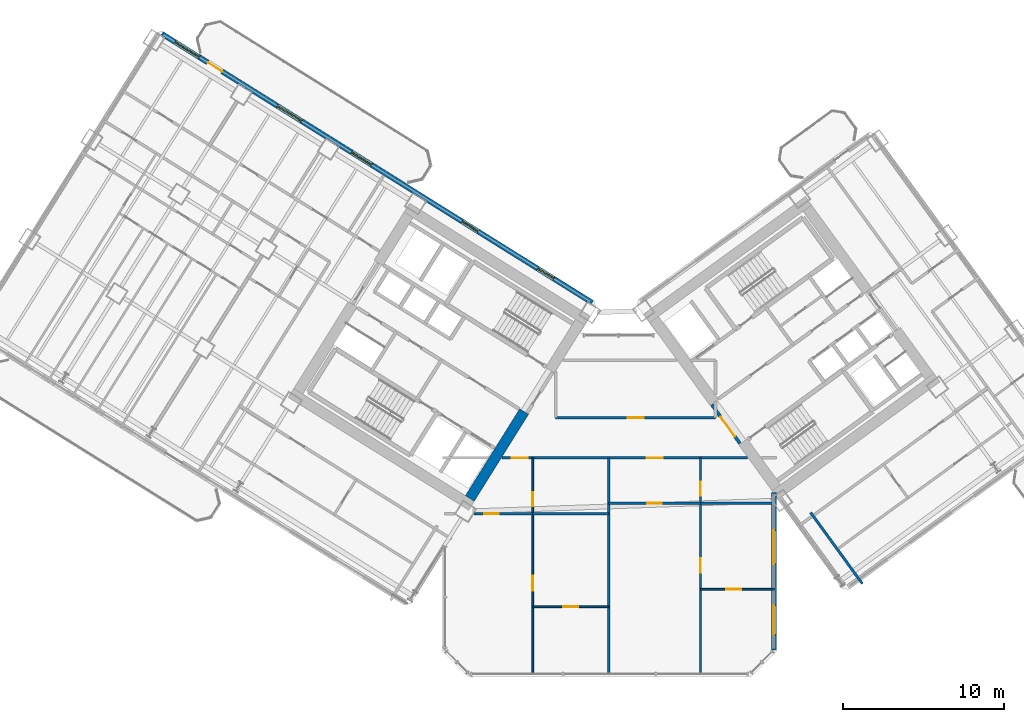
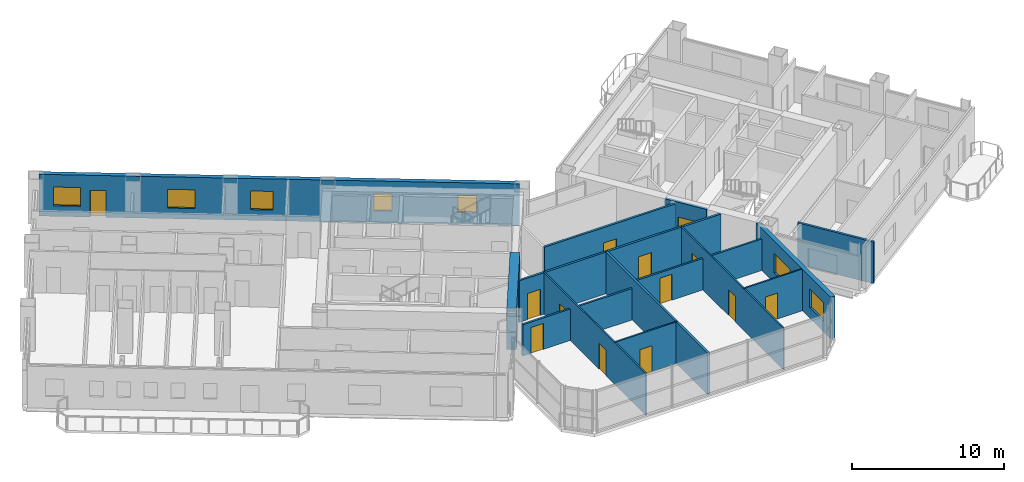
# One storey, part 17 of 28: 16 walls, 13 doors, 7 windows, 20 openings.
"""IFC4 building model written with IfcOpenShell, lengths in metres."""

from ifc_helpers import new_model, si_unit, direction, frame, frame_2d, origin, place, context, subcontext, project, spatial, rectangle, extrude, source, transform, mapped, material, layer, layer_set, type_object, element, fill, save


model = new_model("IFC4")

# Units and contexts
model_context = context("Model", 3, precision=1e-05, world=origin(), true_north=direction((0.0, 1.0)))
body_context = subcontext(model_context, "Body", "Model", "MODEL_VIEW")
ifc_project = project(units=[si_unit("LENGTHUNIT", "METRE"), si_unit("AREAUNIT", "SQUARE_METRE"), si_unit("VOLUMEUNIT", "CUBIC_METRE"), si_unit("PLANEANGLEUNIT", "RADIAN"), si_unit("MASSUNIT", "GRAM", prefix="KILO")], contexts=[model_context])

# Site, building, storey
site_placement = place(None, origin())
site = spatial("IfcSite", under=ifc_project, at=site_placement, CompositionType="ELEMENT")
building_placement = place(site_placement, origin())
building = spatial("IfcBuilding", under=site, at=building_placement, Name="Tlacorven Tower", CompositionType="ELEMENT")
storey_placement = place(building_placement, frame((0.0, 0.0, 27.60009765625)))
storey = spatial("IfcBuildingStorey", under=building, at=storey_placement, Name="L06", CompositionType="ELEMENT", Elevation=27.60009765625)

# Wall
ifc_material_1 = material(Name="Concrete C60/75", Category="concrete")
ifc_layer_1 = layer(ifc_material_1, 0.64990234375)
ifc_layer_set_1 = layer_set([ifc_layer_1], Name="Concrete C60/75")
wall_type_1 = type_object("IfcWallType", Name="WL-COR-650", PredefinedType="SHEAR", material=ifc_layer_set_1)
wall_1_placement = place(storey_placement, frame((36.683349609375, 18.30419921875, 0.0), z_axis=(0.0, 0.0, 1.0), x_axis=(-0.529899109053, -0.848060690178, 0.0)))
element("IfcWall", 1, at=wall_1_placement, inside=storey, type_object=wall_type_1, Name="L06 W core end wall E1.2", PredefinedType="SHEAR", context=body_context, shape_type="SweptSolid", body=[
    extrude(rectangle(XDim=6.375244140625, YDim=0.64990234375, at=frame_2d((3.1875, 0.0))), origin(), (0.0, 0.0, 1.0), 3.349853515625),
])

# Wall, openings, doors
ifc_material_2 = material(Name="Gypsum plasterboard acoustic partition", Category="gypsum")
ifc_layer_2 = layer(ifc_material_2, 0.159912109375)
ifc_layer_set_2 = layer_set([ifc_layer_2], Name="Gypsum plasterboard acoustic partition")
wall_type_2 = type_object("IfcWallType", Name="WL-DEM-160", PredefinedType="PARTITIONING", material=ifc_layer_set_2)
wall_2_placement = place(storey_placement, frame((35.29638671875, 15.419921875, 0.0), z_axis=(0.0, 0.0, 1.0), x_axis=(1.0, 0.0, 0.0)))
wall_2 = element("IfcWall", 2, at=wall_2_placement, inside=storey, type_object=wall_type_2, Name="L06 Knuckle Corridor South Wall", PredefinedType="PARTITIONING", context=body_context, shape_type="SweptSolid", body=[
    extrude(rectangle(XDim=15.310546875, YDim=0.159912109375, at=frame_2d((7.6552734375, 0.0))), origin(), (0.0, 0.0, 1.0), 3.33984375),
])
opening_1_placement = place(wall_2_placement, frame((0.61474609375, 0.0, 0.0)))
opening_1 = element("IfcOpeningElement", 3, at=opening_1_placement, cuts=wall_2, Name="Opening D11", PredefinedType="OPENING", context=body_context, shape_type="SweptSolid", body=[
    extrude(rectangle(XDim=1.0, YDim=2.10009765625, at=frame_2d((0.5, 1.050048828125))), frame((0.0, 0.08984375, 0.0), z_axis=(0.0, -1.0, 0.0), x_axis=(1.0, 0.0, 0.0)), (0.0, 0.0, 1.0), 0.179931640625),
])
opening_2_placement = place(wall_2_placement, frame((9.03515625, 0.0, 0.0)))
opening_2 = element("IfcOpeningElement", 4, at=opening_2_placement, cuts=wall_2, Name="Opening D11", PredefinedType="OPENING", context=body_context, shape_type="SweptSolid", body=[
    extrude(rectangle(XDim=1.0, YDim=2.10009765625, at=frame_2d((0.5, 1.050048828125))), frame((0.0, 0.08984375, 0.0), z_axis=(0.0, -1.0, 0.0), x_axis=(1.0, 0.0, 0.0)), (0.0, 0.0, 1.0), 0.179931640625),
])
ifc_material_3 = material(Name="Fire-rated steel door assembly", Category="steel")
door_type_1 = type_object("IfcDoorType", Name="DR-FLT-FD60-1000", OperationType="NOTDEFINED", PredefinedType="DOOR", material=ifc_material_3)
shared_shape_1 = source(origin(), body_context, "Body", "SweptSolid", [
    extrude(rectangle(XDim=1.0, YDim=2.10009765625, at=frame_2d((0.5, 1.050048828125))), frame((0.0, 0.02490234375, 0.0), z_axis=(0.0, -1.0, 0.0), x_axis=(1.0, 0.0, 0.0)), (0.0, 0.0, 1.0), 0.050048828125),
])
door_1_placement = place(opening_1_placement, frame((1.0, 0.0, 0.0), z_axis=(0.0, 0.0, 1.0), x_axis=(-1.0, 0.0, 0.0)))
door_1 = element("IfcDoor", 5, at=door_1_placement, inside=storey, type_object=door_type_1, Name="L06 door 046", OperationType="SINGLE_SWING_RIGHT", OverallHeight=2.10009765625, OverallWidth=1.0, PredefinedType="DOOR", context=body_context, shape_type="MappedRepresentation", body=[
    mapped(shared_shape_1, transform((0.0, 0.0, 0.0), scale=1.0)),
])
fill(opening_1, door_1)
door_2_placement = place(opening_2_placement, frame((1.0, 0.0, 0.0), z_axis=(0.0, 0.0, 1.0), x_axis=(-1.0, 0.0, 0.0)))
door_2 = element("IfcDoor", 6, at=door_2_placement, inside=storey, type_object=door_type_1, Name="L06 door 051", OperationType="SINGLE_SWING_LEFT", OverallHeight=2.10009765625, OverallWidth=1.0, PredefinedType="DOOR", context=body_context, shape_type="MappedRepresentation", body=[
    mapped(shared_shape_1, transform((0.0, 0.0, 0.0), scale=1.0)),
])
fill(opening_2, door_2)

# Wall, opening, door
wall_3_placement = place(storey_placement, frame((38.64990234375, 17.929931640625, 0.0), z_axis=(0.0, 0.0, 1.0), x_axis=(1.0, 0.0, 0.0)))
wall_3 = element("IfcWall", 7, at=wall_3_placement, inside=storey, type_object=wall_type_2, Name="L06 partition 75", PredefinedType="PARTITIONING", context=body_context, shape_type="SweptSolid", body=[
    extrude(rectangle(XDim=9.9501953125, YDim=0.159912109375, at=frame_2d((4.97509765625, 0.0))), origin(), (0.0, 0.0, 1.0), 3.33984375),
])
opening_3_placement = place(wall_3_placement, frame((4.47509765625, 0.0, 0.0)))
opening_3 = element("IfcOpeningElement", 8, at=opening_3_placement, cuts=wall_3, Name="Opening D11", PredefinedType="OPENING", context=body_context, shape_type="SweptSolid", body=[
    extrude(rectangle(XDim=1.0, YDim=2.10009765625, at=frame_2d((0.5, 1.050048828125))), frame((0.0, 0.08984375, 0.0), z_axis=(0.0, -1.0, 0.0), x_axis=(1.0, 0.0, 0.0)), (0.0, 0.0, 1.0), 0.179931640625),
])
door_3_placement = place(opening_3_placement, origin())
door_3 = element("IfcDoor", 9, at=door_3_placement, inside=storey, type_object=door_type_1, Name="L06 door 041", OperationType="SINGLE_SWING_LEFT", OverallHeight=2.10009765625, OverallWidth=1.0, PredefinedType="DOOR", context=body_context, shape_type="MappedRepresentation", body=[
    mapped(shared_shape_1, transform((0.0, 0.0, 0.0), scale=1.0)),
])
fill(opening_3, door_3)

# Walls
wall_4_placement = place(storey_placement, frame((41.949951171875, 1.9599609375, 0.0), z_axis=(0.0, 0.0, 1.0), x_axis=(0.0, 1.0, 0.0)))
element("IfcWall", 10, at=wall_4_placement, inside=storey, type_object=wall_type_2, Name="L06 Knuckle Demising Wall 1", PredefinedType="PARTITIONING", context=body_context, shape_type="SweptSolid", body=[
    extrude(rectangle(XDim=13.4599609375, YDim=0.159912109375, at=frame_2d((6.72998046875, 0.0))), origin(), (0.0, 0.0, 1.0), 3.33984375),
])
wall_5_placement = place(storey_placement, frame((57.747314453125, 7.586181640625, 0.0), z_axis=(0.0, 0.0, 1.0), x_axis=(-0.587784893399, 0.809017255126, 0.0)))
element("IfcWall", 11, at=wall_5_placement, inside=storey, type_object=wall_type_2, Name="L06 EC West Throat Wall", PredefinedType="PARTITIONING", context=body_context, shape_type="SweptSolid", body=[
    extrude(rectangle(XDim=5.480224609375, YDim=0.159912109375, at=frame_2d((2.740234375, 0.0))), origin(), (0.0, 0.0, 1.0), 3.33984375),
])

# Wall, openings, door, windows
ifc_material_4 = material(Name="Precast concrete C45/55", Category="concrete")
ifc_layer_3 = layer(ifc_material_4, 0.320068359375)
ifc_layer_set_3 = layer_set([ifc_layer_3], Name="Precast concrete C45/55")
wall_type_3 = type_object("IfcWallType", Name="WL-EXT-320", PredefinedType="STANDARD", material=ifc_layer_set_3)
wall_6_placement = place(storey_placement, frame((14.13818359375, 41.825439453125, 0.0), z_axis=(0.0, 0.0, 1.0), x_axis=(0.848046498049, -0.529921821731, 0.0)))
wall_6 = element("IfcWall", 12, at=wall_6_placement, inside=storey, type_object=wall_type_3, Name="L06 Masonry-Frame Recessed Facade Wall 3", PredefinedType="STANDARD", context=body_context, shape_type="SweptSolid", body=[
    extrude(rectangle(XDim=31.587646484375, YDim=0.320068359375, at=frame_2d((15.7939453125, 0.0))), origin(), (0.0, 0.0, 1.0), 3.349853515625),
])
opening_4_placement = place(wall_6_placement, frame((3.368896484375, 0.0, 0.0)))
opening_4 = element("IfcOpeningElement", 13, at=opening_4_placement, cuts=wall_6, Name="Opening D06", PredefinedType="OPENING", context=body_context, shape_type="SweptSolid", body=[
    extrude(rectangle(XDim=1.050048828125, YDim=2.14990234375, at=frame_2d((0.52490234375, 1.074951171875))), frame((0.0, 0.169921875, 0.0), z_axis=(0.0, -1.0, 0.0), x_axis=(1.0, 0.0, 0.0)), (0.0, 0.0, 1.0), 0.340087890625),
])
opening_5_placement = place(wall_6_placement, frame((0.9462890625, 0.0, 0.85009765625)))
opening_5 = element("IfcOpeningElement", 14, at=opening_5_placement, cuts=wall_6, Name="Opening WN01", PredefinedType="OPENING", context=body_context, shape_type="SweptSolid", body=[
    extrude(rectangle(XDim=1.800048828125, YDim=1.5, at=frame_2d((0.89990234375, 0.75))), frame((0.0, 0.169921875, 0.0), z_axis=(0.0, -1.0, 0.0), x_axis=(1.0, 0.0, 0.0)), (0.0, 0.0, 1.0), 0.340087890625),
])
opening_6_placement = place(wall_6_placement, frame((8.460205078125, 0.0, 0.85009765625)))
opening_6 = element("IfcOpeningElement", 15, at=opening_6_placement, cuts=wall_6, Name="Opening WN01", PredefinedType="OPENING", context=body_context, shape_type="SweptSolid", body=[
    extrude(rectangle(XDim=1.800048828125, YDim=1.5, at=frame_2d((0.89990234375, 0.75))), frame((0.0, 0.169921875, 0.0), z_axis=(0.0, -1.0, 0.0), x_axis=(1.0, 0.0, 0.0)), (0.0, 0.0, 1.0), 0.340087890625),
])
opening_7_placement = place(wall_6_placement, frame((13.898681640625, 0.0, 0.85009765625)))
opening_7 = element("IfcOpeningElement", 16, at=opening_7_placement, cuts=wall_6, Name="Opening WN02", PredefinedType="OPENING", context=body_context, shape_type="SweptSolid", body=[
    extrude(rectangle(XDim=1.5, YDim=1.5, at=frame_2d((0.75, 0.75))), frame((0.0, 0.169921875, 0.0), z_axis=(0.0, -1.0, 0.0), x_axis=(1.0, 0.0, 0.0)), (0.0, 0.0, 1.0), 0.340087890625),
])
opening_8_placement = place(wall_6_placement, frame((22.018798828125, 0.0, 0.949951171875)))
opening_8 = element("IfcOpeningElement", 17, at=opening_8_placement, cuts=wall_6, Name="Opening WN03", PredefinedType="OPENING", context=body_context, shape_type="SweptSolid", body=[
    extrude(rectangle(XDim=1.199951171875, YDim=1.39990234375, at=frame_2d((0.60009765625, 0.699951171875))), frame((0.0, 0.169921875, 0.0), z_axis=(0.0, -1.0, 0.0), x_axis=(1.0, 0.0, 0.0)), (0.0, 0.0, 1.0), 0.340087890625),
])
opening_9_placement = place(wall_6_placement, frame((27.568603515625, 0.0, 0.949951171875)))
opening_9 = element("IfcOpeningElement", 18, at=opening_9_placement, cuts=wall_6, Name="Opening WN03", PredefinedType="OPENING", context=body_context, shape_type="SweptSolid", body=[
    extrude(rectangle(XDim=1.199951171875, YDim=1.39990234375, at=frame_2d((0.60009765625, 0.699951171875))), frame((0.0, 0.169921875, 0.0), z_axis=(0.0, -1.0, 0.0), x_axis=(1.0, 0.0, 0.0)), (0.0, 0.0, 1.0), 0.340087890625),
])
ifc_material_5 = material(Name="Powder-coated aluminium and timber door", Category="wood")
door_type_2 = type_object("IfcDoorType", Name="DR-EXT-BALC-1050", OperationType="NOTDEFINED", PredefinedType="DOOR", material=ifc_material_5)
shared_shape_2 = source(origin(), body_context, "Body", "SweptSolid", [
    extrude(rectangle(XDim=1.050048828125, YDim=2.14990234375, at=frame_2d((0.52490234375, 1.074951171875))), frame((0.0, 0.02490234375, 0.0), z_axis=(0.0, -1.0, 0.0), x_axis=(1.0, 0.0, 0.0)), (0.0, 0.0, 1.0), 0.050048828125),
])
door_4_placement = place(opening_4_placement, origin())
door_4 = element("IfcDoor", 19, at=door_4_placement, inside=storey, type_object=door_type_2, Name="L06 Outdoor Access Door BAL-L06-W-IN", OperationType="SINGLE_SWING_RIGHT", OverallHeight=2.14990234375, OverallWidth=1.050048828125, PredefinedType="DOOR", context=body_context, shape_type="MappedRepresentation", body=[
    mapped(shared_shape_2, transform((0.0, 0.0, 0.0), scale=1.0)),
])
fill(opening_4, door_4)
ifc_material_6 = material(Name="Dark solar low-E double glazing in anodised aluminium frame", Category="aluminium")
window_type_1 = type_object("IfcWindowType", Name="WN-APT-1200X1500", PartitioningType="SINGLE_PANEL", PredefinedType="WINDOW", material=ifc_material_6)
shared_shape_3 = source(origin(), body_context, "Body", "SweptSolid", [
    extrude(rectangle(XDim=1.199951171875, YDim=1.39990234375, at=frame_2d((0.60009765625, 0.699951171875))), frame((0.0, 0.030029296875, 0.0), z_axis=(0.0, -1.0, 0.0), x_axis=(1.0, 0.0, 0.0)), (0.0, 0.0, 1.0), 0.06005859375),
])
window_1_placement = place(opening_8_placement, origin())
window_1 = element("IfcWindow", 20, at=window_1_placement, inside=storey, type_object=window_type_1, Name="L06 Recessed Masonry-Frame Window L06-03.4", OverallHeight=1.39990234375, OverallWidth=1.199951171875, PartitioningType="SINGLE_PANEL", PredefinedType="WINDOW", context=body_context, shape_type="MappedRepresentation", body=[
    mapped(shared_shape_3, transform((0.0, 0.0, 0.0), scale=1.0)),
])
fill(opening_8, window_1)
window_2_placement = place(opening_9_placement, origin())
window_2 = element("IfcWindow", 21, at=window_2_placement, inside=storey, type_object=window_type_1, Name="L06 Recessed Masonry-Frame Window L06-03.5", OverallHeight=1.39990234375, OverallWidth=1.199951171875, PartitioningType="SINGLE_PANEL", PredefinedType="WINDOW", context=body_context, shape_type="MappedRepresentation", body=[
    mapped(shared_shape_3, transform((0.0, 0.0, 0.0), scale=1.0)),
])
fill(opening_9, window_2)
window_type_2 = type_object("IfcWindowType", Name="WN-APT-1800X1650", PartitioningType="SINGLE_PANEL", PredefinedType="WINDOW", material=ifc_material_6)
shared_shape_4 = source(origin(), body_context, "Body", "SweptSolid", [
    extrude(rectangle(XDim=1.800048828125, YDim=1.5, at=frame_2d((0.89990234375, 0.75))), frame((0.0, 0.030029296875, 0.0), z_axis=(0.0, -1.0, 0.0), x_axis=(1.0, 0.0, 0.0)), (0.0, 0.0, 1.0), 0.06005859375),
])
window_3_placement = place(opening_5_placement, origin())
window_3 = element("IfcWindow", 22, at=window_3_placement, inside=storey, type_object=window_type_2, Name="L06 Recessed Masonry-Frame Window L06-03.1", OverallHeight=1.5, OverallWidth=1.800048828125, PartitioningType="SINGLE_PANEL", PredefinedType="WINDOW", context=body_context, shape_type="MappedRepresentation", body=[
    mapped(shared_shape_4, transform((0.0, 0.0, 0.0), scale=1.0)),
])
fill(opening_5, window_3)
window_4_placement = place(opening_6_placement, origin())
window_4 = element("IfcWindow", 23, at=window_4_placement, inside=storey, type_object=window_type_2, Name="L06 Recessed Masonry-Frame Window L06-03.2", OverallHeight=1.5, OverallWidth=1.800048828125, PartitioningType="SINGLE_PANEL", PredefinedType="WINDOW", context=body_context, shape_type="MappedRepresentation", body=[
    mapped(shared_shape_4, transform((0.0, 0.0, 0.0), scale=1.0)),
])
fill(opening_6, window_4)
window_type_3 = type_object("IfcWindowType", Name="WN-APT-1500X1650", PartitioningType="SINGLE_PANEL", PredefinedType="WINDOW", material=ifc_material_6)
shared_shape_5 = source(origin(), body_context, "Body", "SweptSolid", [
    extrude(rectangle(XDim=1.5, YDim=1.5, at=frame_2d((0.75, 0.75))), frame((0.0, 0.030029296875, 0.0), z_axis=(0.0, -1.0, 0.0), x_axis=(1.0, 0.0, 0.0)), (0.0, 0.0, 1.0), 0.06005859375),
])
window_5_placement = place(opening_7_placement, origin())
window_5 = element("IfcWindow", 24, at=window_5_placement, inside=storey, type_object=window_type_3, Name="L06 Recessed Masonry-Frame Window L06-03.3", OverallHeight=1.5, OverallWidth=1.5, PartitioningType="SINGLE_PANEL", PredefinedType="WINDOW", context=body_context, shape_type="MappedRepresentation", body=[
    mapped(shared_shape_5, transform((0.0, 0.0, 0.0), scale=1.0)),
])
fill(opening_7, window_5)

# Wall, openings, windows
wall_7_placement = place(storey_placement, frame((52.239990234375, 13.260986328125, 0.0), z_axis=(0.0, 0.0, 1.0), x_axis=(0.0, -1.0, 0.0)))
wall_7 = element("IfcWall", 25, at=wall_7_placement, inside=storey, type_object=wall_type_3, Name="L06 Masonry-Frame Recessed Facade Wall 8", PredefinedType="STANDARD", context=body_context, shape_type="SweptSolid", body=[
    extrude(rectangle(XDim=9.794677734375, YDim=0.320068359375, at=frame_2d((4.8974609375, 0.0))), origin(), (0.0, 0.0, 1.0), 3.349853515625),
])
opening_10_placement = place(wall_7_placement, frame((2.349365234375, 0.0, 0.800048828125)))
opening_10 = element("IfcOpeningElement", 26, at=opening_10_placement, cuts=wall_7, Name="Opening WN04", PredefinedType="OPENING", context=body_context, shape_type="SweptSolid", body=[
    extrude(rectangle(XDim=2.10009765625, YDim=1.550048828125, at=frame_2d((1.050048828125, 0.77490234375))), frame((0.0, 0.169921875, 0.0), z_axis=(0.0, -1.0, 0.0), x_axis=(1.0, 0.0, 0.0)), (0.0, 0.0, 1.0), 0.340087890625),
])
opening_11_placement = place(wall_7_placement, frame((7.0302734375, 0.0, 0.85009765625)))
opening_11 = element("IfcOpeningElement", 27, at=opening_11_placement, cuts=wall_7, Name="Opening WN01", PredefinedType="OPENING", context=body_context, shape_type="SweptSolid", body=[
    extrude(rectangle(XDim=1.800048828125, YDim=1.5, at=frame_2d((0.89990234375, 0.75))), frame((0.0, 0.169921875, 0.0), z_axis=(0.0, -1.0, 0.0), x_axis=(1.0, 0.0, 0.0)), (0.0, 0.0, 1.0), 0.340087890625),
])
window_type_4 = type_object("IfcWindowType", Name="WN-APT-2100X1750", PartitioningType="SINGLE_PANEL", PredefinedType="WINDOW", material=ifc_material_6)
shared_shape_6 = source(origin(), body_context, "Body", "SweptSolid", [
    extrude(rectangle(XDim=2.10009765625, YDim=1.550048828125, at=frame_2d((1.050048828125, 0.77490234375))), frame((0.0, 0.030029296875, 0.0), z_axis=(0.0, -1.0, 0.0), x_axis=(1.0, 0.0, 0.0)), (0.0, 0.0, 1.0), 0.06005859375),
])
window_6_placement = place(opening_10_placement, origin())
window_6 = element("IfcWindow", 28, at=window_6_placement, inside=storey, type_object=window_type_4, Name="L06 Recessed Masonry-Frame Window L06-08.1", OverallHeight=1.550048828125, OverallWidth=2.10009765625, PartitioningType="SINGLE_PANEL", PredefinedType="WINDOW", context=body_context, shape_type="MappedRepresentation", body=[
    mapped(shared_shape_6, transform((0.0, 0.0, 0.0), scale=1.0)),
])
fill(opening_10, window_6)
window_7_placement = place(opening_11_placement, origin())
window_7 = element("IfcWindow", 29, at=window_7_placement, inside=storey, type_object=window_type_2, Name="L06 Recessed Masonry-Frame Window L06-08.2", OverallHeight=1.5, OverallWidth=1.800048828125, PartitioningType="SINGLE_PANEL", PredefinedType="WINDOW", context=body_context, shape_type="MappedRepresentation", body=[
    mapped(shared_shape_4, transform((0.0, 0.0, 0.0), scale=1.0)),
])
fill(opening_11, window_7)

# Wall, openings, doors
ifc_material_7 = material(Name="Gypsum plasterboard partition", Category="gypsum")
ifc_layer_4 = layer(ifc_material_7, 0.110107421875)
ifc_layer_set_4 = layer_set([ifc_layer_4], Name="Gypsum plasterboard partition")
wall_type_4 = type_object("IfcWallType", Name="WL-INT-110", PredefinedType="PARTITIONING", material=ifc_layer_set_4)
wall_8_placement = place(storey_placement, frame((37.221923828125, 1.9599609375, 0.0), z_axis=(0.0, 0.0, 1.0), x_axis=(0.0, 1.0, 0.0)))
wall_8 = element("IfcWall", 30, at=wall_8_placement, inside=storey, type_object=wall_type_4, Name="L06 partition 81", PredefinedType="PARTITIONING", context=body_context, shape_type="SweptSolid", body=[
    extrude(rectangle(XDim=13.4599609375, YDim=0.110107421875, at=frame_2d((6.72998046875, 0.0))), origin(), (0.0, 0.0, 1.0), 3.33984375),
])
opening_12_placement = place(wall_8_placement, frame((5.199951171875, 0.0, 0.0)))
opening_12 = element("IfcOpeningElement", 31, at=opening_12_placement, cuts=wall_8, Name="Opening D12", PredefinedType="OPENING", context=body_context, shape_type="SweptSolid", body=[
    extrude(rectangle(XDim=0.919921875, YDim=2.080078125, at=frame_2d((0.4599609375, 1.0400390625))), frame((0.0, 0.06494140625, 0.0), z_axis=(0.0, -1.0, 0.0), x_axis=(1.0, 0.0, 0.0)), (0.0, 0.0, 1.0), 0.130126953125),
])
opening_13_placement = place(wall_8_placement, frame((10.449951171875, 0.0, 0.0)))
opening_13 = element("IfcOpeningElement", 32, at=opening_13_placement, cuts=wall_8, Name="Opening D13", PredefinedType="OPENING", context=body_context, shape_type="SweptSolid", body=[
    extrude(rectangle(XDim=0.8798828125, YDim=2.080078125, at=frame_2d((0.43994140625, 1.0400390625))), frame((0.0, 0.06494140625, 0.0), z_axis=(0.0, -1.0, 0.0), x_axis=(1.0, 0.0, 0.0)), (0.0, 0.0, 1.0), 0.130126953125),
])
door_type_3 = type_object("IfcDoorType", Name="DR-INT-WET-0880", OperationType="NOTDEFINED", PredefinedType="DOOR", material=ifc_material_5)
shared_shape_7 = source(origin(), body_context, "Body", "SweptSolid", [
    extrude(rectangle(XDim=0.8798828125, YDim=2.080078125, at=frame_2d((0.43994140625, 1.0400390625))), frame((0.0, 0.02490234375, 0.0), z_axis=(0.0, -1.0, 0.0), x_axis=(1.0, 0.0, 0.0)), (0.0, 0.0, 1.0), 0.050048828125),
])
door_5_placement = place(opening_13_placement, origin())
door_5 = element("IfcDoor", 33, at=door_5_placement, inside=storey, type_object=door_type_3, Name="L06 door 048", OperationType="SINGLE_SWING_RIGHT", OverallHeight=2.080078125, OverallWidth=0.8798828125, PredefinedType="DOOR", context=body_context, shape_type="MappedRepresentation", body=[
    mapped(shared_shape_7, transform((0.0, 0.0, 0.0), scale=1.0)),
])
fill(opening_13, door_5)
door_type_4 = type_object("IfcDoorType", Name="DR-INT-ROOM-0920", OperationType="NOTDEFINED", PredefinedType="DOOR", material=ifc_material_5)
shared_shape_8 = source(origin(), body_context, "Body", "SweptSolid", [
    extrude(rectangle(XDim=0.919921875, YDim=2.080078125, at=frame_2d((0.4599609375, 1.0400390625))), frame((0.0, 0.02490234375, 0.0), z_axis=(0.0, -1.0, 0.0), x_axis=(1.0, 0.0, 0.0)), (0.0, 0.0, 1.0), 0.050048828125),
])
door_6_placement = place(opening_12_placement, origin())
door_6 = element("IfcDoor", 34, at=door_6_placement, inside=storey, type_object=door_type_4, Name="L06 door 044", OperationType="SINGLE_SWING_RIGHT", OverallHeight=2.080078125, OverallWidth=0.919921875, PredefinedType="DOOR", context=body_context, shape_type="MappedRepresentation", body=[
    mapped(shared_shape_8, transform((0.0, 0.0, 0.0), scale=1.0)),
])
fill(opening_12, door_6)

# Wall, opening, door
wall_9_placement = place(storey_placement, frame((37.221923828125, 6.14990234375, 0.0), z_axis=(0.0, 0.0, 1.0), x_axis=(1.0, 0.0, 0.0)))
wall_9 = element("IfcWall", 35, at=wall_9_placement, inside=storey, type_object=wall_type_4, Name="L06 partition 84", PredefinedType="PARTITIONING", context=body_context, shape_type="SweptSolid", body=[
    extrude(rectangle(XDim=4.72802734375, YDim=0.110107421875, at=frame_2d((2.364013671875, 0.0))), origin(), (0.0, 0.0, 1.0), 3.33984375),
])
opening_14_placement = place(wall_9_placement, frame((1.904052734375, 0.0, 0.0)))
opening_14 = element("IfcOpeningElement", 36, at=opening_14_placement, cuts=wall_9, Name="Opening D12", PredefinedType="OPENING", context=body_context, shape_type="SweptSolid", body=[
    extrude(rectangle(XDim=0.919921875, YDim=2.080078125, at=frame_2d((0.4599609375, 1.0400390625))), frame((0.0, 0.06494140625, 0.0), z_axis=(0.0, -1.0, 0.0), x_axis=(1.0, 0.0, 0.0)), (0.0, 0.0, 1.0), 0.130126953125),
])
door_7_placement = place(opening_14_placement, origin())
door_7 = element("IfcDoor", 37, at=door_7_placement, inside=storey, type_object=door_type_4, Name="L06 door 045", OperationType="SINGLE_SWING_LEFT", OverallHeight=2.080078125, OverallWidth=0.919921875, PredefinedType="DOOR", context=body_context, shape_type="MappedRepresentation", body=[
    mapped(shared_shape_8, transform((0.0, 0.0, 0.0), scale=1.0)),
])
fill(opening_14, door_7)

# Wall, openings, doors
wall_10_placement = place(storey_placement, frame((47.6630859375, 1.9599609375, 0.0), z_axis=(0.0, 0.0, 1.0), x_axis=(0.0, 1.0, 0.0)))
wall_10 = element("IfcWall", 38, at=wall_10_placement, inside=storey, type_object=wall_type_4, Name="L06 partition 85", PredefinedType="PARTITIONING", context=body_context, shape_type="SweptSolid", body=[
    extrude(rectangle(XDim=13.4599609375, YDim=0.110107421875, at=frame_2d((6.72998046875, 0.0))), origin(), (0.0, 0.0, 1.0), 3.33984375),
])
opening_15_placement = place(wall_10_placement, frame((6.300048828125, 0.0, 0.0)))
opening_15 = element("IfcOpeningElement", 39, at=opening_15_placement, cuts=wall_10, Name="Opening D12", PredefinedType="OPENING", context=body_context, shape_type="SweptSolid", body=[
    extrude(rectangle(XDim=0.919921875, YDim=2.080078125, at=frame_2d((0.4599609375, 1.0400390625))), frame((0.0, 0.06494140625, 0.0), z_axis=(0.0, -1.0, 0.0), x_axis=(1.0, 0.0, 0.0)), (0.0, 0.0, 1.0), 0.130126953125),
])
opening_16_placement = place(wall_10_placement, frame((11.10009765625, 0.0, 0.0)))
opening_16 = element("IfcOpeningElement", 40, at=opening_16_placement, cuts=wall_10, Name="Opening D13", PredefinedType="OPENING", context=body_context, shape_type="SweptSolid", body=[
    extrude(rectangle(XDim=0.8798828125, YDim=2.080078125, at=frame_2d((0.43994140625, 1.0400390625))), frame((0.0, 0.06494140625, 0.0), z_axis=(0.0, -1.0, 0.0), x_axis=(1.0, 0.0, 0.0)), (0.0, 0.0, 1.0), 0.130126953125),
])
door_8_placement = place(opening_16_placement, origin())
door_8 = element("IfcDoor", 41, at=door_8_placement, inside=storey, type_object=door_type_3, Name="L06 door 053", OperationType="SINGLE_SWING_LEFT", OverallHeight=2.080078125, OverallWidth=0.8798828125, PredefinedType="DOOR", context=body_context, shape_type="MappedRepresentation", body=[
    mapped(shared_shape_7, transform((0.0, 0.0, 0.0), scale=1.0)),
])
fill(opening_16, door_8)
door_9_placement = place(opening_15_placement, origin())
door_9 = element("IfcDoor", 42, at=door_9_placement, inside=storey, type_object=door_type_4, Name="L06 door 049", OperationType="SINGLE_SWING_LEFT", OverallHeight=2.080078125, OverallWidth=0.919921875, PredefinedType="DOOR", context=body_context, shape_type="MappedRepresentation", body=[
    mapped(shared_shape_8, transform((0.0, 0.0, 0.0), scale=1.0)),
])
fill(opening_15, door_9)

# Wall, opening, door
wall_11_placement = place(storey_placement, frame((47.6630859375, 7.25, 0.0), z_axis=(0.0, 0.0, 1.0), x_axis=(1.0, 0.0, 0.0)))
wall_11 = element("IfcWall", 43, at=wall_11_placement, inside=storey, type_object=wall_type_4, Name="L06 partition 88", PredefinedType="PARTITIONING", context=body_context, shape_type="SweptSolid", body=[
    extrude(rectangle(XDim=4.596923828125, YDim=0.110107421875, at=frame_2d((2.29833984375, 0.0))), origin(), (0.0, 0.0, 1.0), 3.33984375),
])
opening_17_placement = place(wall_11_placement, frame((1.6083984375, 0.0, 0.0)))
opening_17 = element("IfcOpeningElement", 44, at=opening_17_placement, cuts=wall_11, Name="Opening D12", PredefinedType="OPENING", context=body_context, shape_type="SweptSolid", body=[
    extrude(rectangle(XDim=0.919921875, YDim=2.080078125, at=frame_2d((0.4599609375, 1.0400390625))), frame((0.0, 0.06494140625, 0.0), z_axis=(0.0, -1.0, 0.0), x_axis=(1.0, 0.0, 0.0)), (0.0, 0.0, 1.0), 0.130126953125),
])
door_10_placement = place(opening_17_placement, origin())
door_10 = element("IfcDoor", 45, at=door_10_placement, inside=storey, type_object=door_type_4, Name="L06 door 050", OperationType="SINGLE_SWING_RIGHT", OverallHeight=2.080078125, OverallWidth=0.919921875, PredefinedType="DOOR", context=body_context, shape_type="MappedRepresentation", body=[
    mapped(shared_shape_8, transform((0.0, 0.0, 0.0), scale=1.0)),
])
fill(opening_17, door_10)

ifc_material_8 = material(Name="Moisture-resistant gypsum plumbing wall", Category="gypsum")
ifc_layer_5 = layer(ifc_material_8, 0.139892578125)
ifc_layer_set_5 = layer_set([ifc_layer_5], Name="Moisture-resistant gypsum plumbing wall")
wall_type_5 = type_object("IfcWallType", Name="WL-PLM-140", PredefinedType="PLUMBINGWALL", material=ifc_layer_set_5)
wall_12_placement = place(storey_placement, frame((33.564453125, 11.949951171875, 0.0), z_axis=(0.0, 0.0, 1.0), x_axis=(1.0, 0.0, 0.0)))
wall_12 = element("IfcWall", 46, at=wall_12_placement, inside=storey, type_object=wall_type_5, Name="L06 partition 82", PredefinedType="PLUMBINGWALL", context=body_context, shape_type="SweptSolid", body=[
    extrude(rectangle(XDim=3.657470703125, YDim=0.139892578125, at=frame_2d((1.82861328125, 0.0))), origin(), (0.0, 0.0, 1.0), 2.52490234375),
])
opening_18_placement = place(wall_12_placement, frame((0.63671875, 0.0, 0.0)))
opening_18 = element("IfcOpeningElement", 47, at=opening_18_placement, cuts=wall_12, Name="Opening D12", PredefinedType="OPENING", context=body_context, shape_type="SweptSolid", body=[
    extrude(rectangle(XDim=0.919921875, YDim=2.080078125, at=frame_2d((0.4599609375, 1.0400390625))), frame((0.0, 0.080078125, 0.0), z_axis=(0.0, -1.0, 0.0), x_axis=(1.0, 0.0, 0.0)), (0.0, 0.0, 1.0), 0.159912109375),
])
door_11_placement = place(opening_18_placement, frame((0.919921875, 0.0, 0.0), z_axis=(0.0, 0.0, 1.0), x_axis=(-1.0, 0.0, 0.0)))
door_11 = element("IfcDoor", 48, at=door_11_placement, inside=storey, type_object=door_type_4, Name="L06 door 047", OperationType="SINGLE_SWING_RIGHT", OverallHeight=2.080078125, OverallWidth=0.919921875, PredefinedType="DOOR", context=body_context, shape_type="MappedRepresentation", body=[
    mapped(shared_shape_8, transform((0.0, 0.0, 0.0), scale=1.0)),
])
fill(opening_18, door_11)

# Wall
wall_13_placement = place(storey_placement, frame((37.221923828125, 11.949951171875, 0.0), z_axis=(0.0, 0.0, 1.0), x_axis=(1.0, 0.0, 0.0)))
element("IfcWall", 49, at=wall_13_placement, inside=storey, type_object=wall_type_5, Name="L06 partition 83", PredefinedType="PLUMBINGWALL", context=body_context, shape_type="SweptSolid", body=[
    extrude(rectangle(XDim=4.72802734375, YDim=0.139892578125, at=frame_2d((2.364013671875, 0.0))), origin(), (0.0, 0.0, 1.0), 2.52490234375),
])

# Wall, opening, door
wall_14_placement = place(storey_placement, frame((41.949951171875, 12.60009765625, 0.0), z_axis=(0.0, 0.0, 1.0), x_axis=(1.0, 0.0, 0.0)))
wall_14 = element("IfcWall", 50, at=wall_14_placement, inside=storey, type_object=wall_type_5, Name="L06 partition 86", PredefinedType="PLUMBINGWALL", context=body_context, shape_type="SweptSolid", body=[
    extrude(rectangle(XDim=5.713134765625, YDim=0.139892578125, at=frame_2d((2.8564453125, 0.0))), origin(), (0.0, 0.0, 1.0), 2.52490234375),
])
opening_19_placement = place(wall_14_placement, frame((2.396484375, 0.0, 0.0)))
opening_19 = element("IfcOpeningElement", 51, at=opening_19_placement, cuts=wall_14, Name="Opening D12", PredefinedType="OPENING", context=body_context, shape_type="SweptSolid", body=[
    extrude(rectangle(XDim=0.919921875, YDim=2.080078125, at=frame_2d((0.4599609375, 1.0400390625))), frame((0.0, 0.080078125, 0.0), z_axis=(0.0, -1.0, 0.0), x_axis=(1.0, 0.0, 0.0)), (0.0, 0.0, 1.0), 0.159912109375),
])
door_12_placement = place(opening_19_placement, frame((0.919921875, 0.0, 0.0), z_axis=(0.0, 0.0, 1.0), x_axis=(-1.0, 0.0, 0.0)))
door_12 = element("IfcDoor", 52, at=door_12_placement, inside=storey, type_object=door_type_4, Name="L06 door 052", OperationType="SINGLE_SWING_RIGHT", OverallHeight=2.080078125, OverallWidth=0.919921875, PredefinedType="DOOR", context=body_context, shape_type="MappedRepresentation", body=[
    mapped(shared_shape_8, transform((0.0, 0.0, 0.0), scale=1.0)),
])
fill(opening_19, door_12)

# Wall
wall_15_placement = place(storey_placement, frame((47.6630859375, 12.60009765625, 0.0), z_axis=(0.0, 0.0, 1.0), x_axis=(1.0, 0.0, 0.0)))
element("IfcWall", 53, at=wall_15_placement, inside=storey, type_object=wall_type_5, Name="L06 partition 87", PredefinedType="PLUMBINGWALL", context=body_context, shape_type="SweptSolid", body=[
    extrude(rectangle(XDim=4.535400390625, YDim=0.139892578125, at=frame_2d((2.267578125, 0.0))), origin(), (0.0, 0.0, 1.0), 2.52490234375),
])

# Wall, opening, door
ifc_material_9 = material(Name="Concrete C40/50", Category="concrete")
ifc_layer_6 = layer(ifc_material_9, 0.199951171875)
ifc_layer_set_6 = layer_set([ifc_layer_6], Name="Concrete C40/50")
wall_type_6 = type_object("IfcWallType", Name="WL-SHF-200", PredefinedType="STANDARD", material=ifc_layer_set_6)
wall_16_placement = place(storey_placement, frame((50.119140625, 16.3330078125, 0.0), z_axis=(0.0, 0.0, 1.0), x_axis=(-0.587749856981, 0.809042709391, 0.0)))
wall_16 = element("IfcWall", 54, at=wall_16_placement, inside=storey, type_object=wall_type_6, Name="L06 partition 79", PredefinedType="STANDARD", context=body_context, shape_type="SweptSolid", body=[
    extrude(rectangle(XDim=2.9599609375, YDim=0.199951171875, at=frame_2d((1.47998046875, 0.0))), origin(), (0.0, 0.0, 1.0), 3.33984375),
])
opening_20_placement = place(wall_16_placement, frame((0.530029296875, 0.0, 0.0)))
opening_20 = element("IfcOpeningElement", 55, at=opening_20_placement, cuts=wall_16, Name="Opening D10", PredefinedType="OPENING", context=body_context, shape_type="SweptSolid", body=[
    extrude(rectangle(XDim=1.5, YDim=2.14990234375, at=frame_2d((0.75, 1.074951171875))), frame((0.0, 0.10986328125, 0.0), z_axis=(0.0, -1.0, 0.0), x_axis=(1.0, 0.0, 0.0)), (0.0, 0.0, 1.0), 0.219970703125),
])
door_type_5 = type_object("IfcDoorType", Name="DR-LOB-FD60-1500", OperationType="DOUBLE_DOOR_SINGLE_SWING", PredefinedType="DOOR", material=ifc_material_3)
shared_shape_9 = source(origin(), body_context, "Body", "SweptSolid", [
    extrude(rectangle(XDim=1.5, YDim=2.14990234375, at=frame_2d((0.75, 1.074951171875))), frame((0.0, 0.02490234375, 0.0), z_axis=(0.0, -1.0, 0.0), x_axis=(1.0, 0.0, 0.0)), (0.0, 0.0, 1.0), 0.050048828125),
])
door_13_placement = place(opening_20_placement, frame((1.5, 0.0, 0.0), z_axis=(0.0, 0.0, 1.0), x_axis=(-1.0, 0.0, 0.0)))
door_13 = element("IfcDoor", 56, at=door_13_placement, inside=storey, type_object=door_type_5, Name="L06 door 043", OperationType="DOUBLE_DOOR_SINGLE_SWING", OverallHeight=2.14990234375, OverallWidth=1.5, PredefinedType="DOOR", context=body_context, shape_type="MappedRepresentation", body=[
    mapped(shared_shape_9, transform((0.0, 0.0, 0.0), scale=1.0)),
])
fill(opening_20, door_13)

save(model, "model.ifc")
